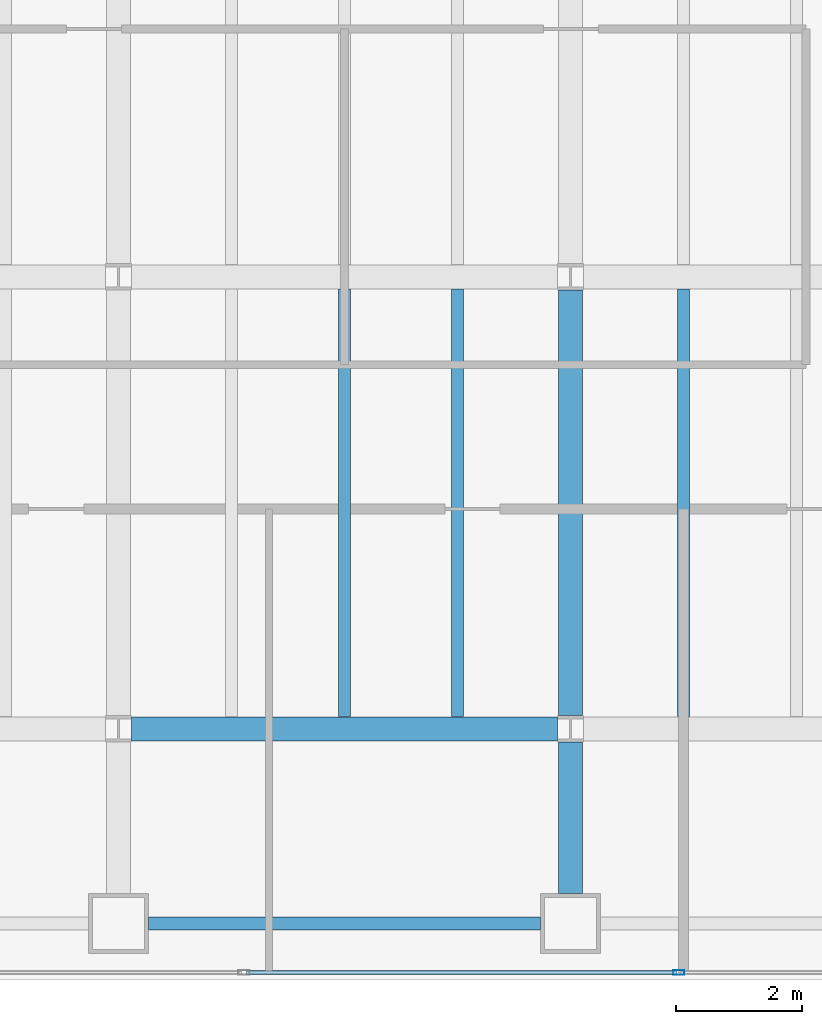
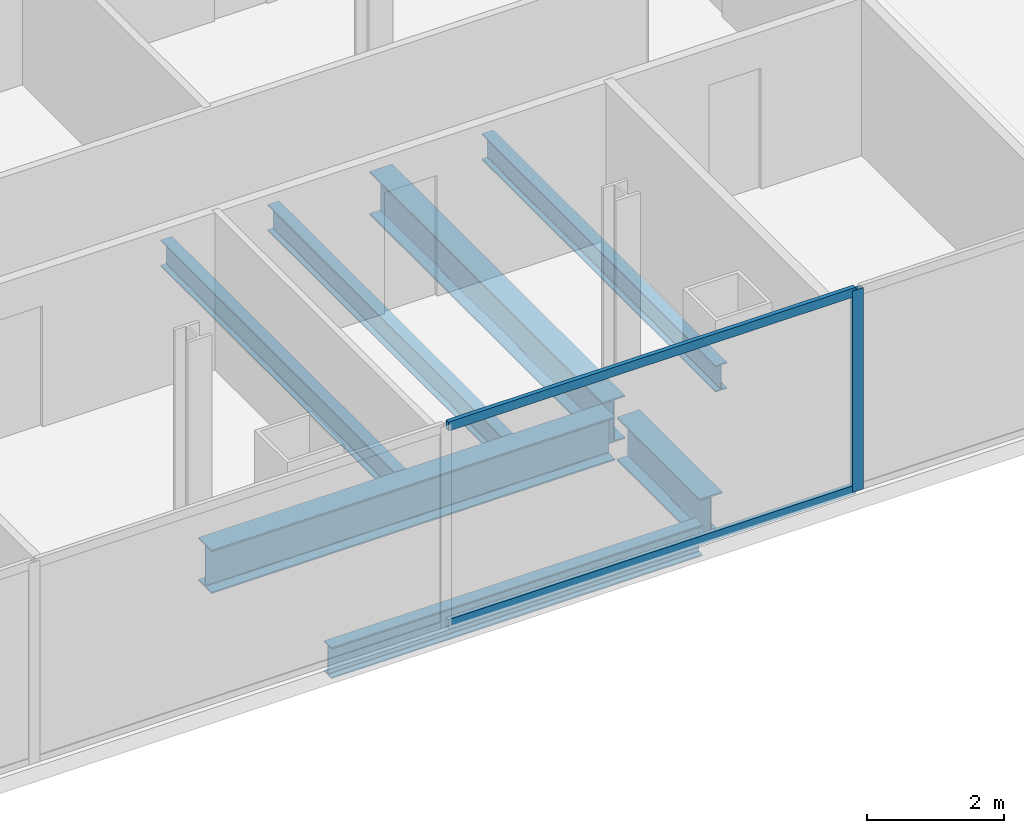
# One storey, part 5 of 24: 7 beams, 3 members, 1 element without a shape of its own.
"""IFC4 building model written with IfcOpenShell, lengths in metres."""

from ifc_helpers import new_model, si_unit, direction, frame, origin, origin_2d, place, context, subcontext, project, spatial, hollow_rectangle, i_section, extrude, material, material_profile, profile_set, type_object, element, aggregate, save


model = new_model("IFC4")

# Units and contexts
model_context = context("Model", 3, precision=1e-05, world=origin(), true_north=direction((0.0, 1.0)))
body_context = subcontext(model_context, "Body", "Model", "MODEL_VIEW")
ifc_project = project(units=[si_unit("LENGTHUNIT", "METRE"), si_unit("AREAUNIT", "SQUARE_METRE"), si_unit("VOLUMEUNIT", "CUBIC_METRE"), si_unit("PLANEANGLEUNIT", "RADIAN"), si_unit("MASSUNIT", "GRAM", prefix="KILO")], contexts=[model_context])

# Site, building, storey
site_placement = place(None, origin())
site = spatial("IfcSite", under=ifc_project, at=site_placement, CompositionType="ELEMENT")
building_placement = place(site_placement, origin())
building = spatial("IfcBuilding", under=site, at=building_placement, Name="Cobrela Telecom Tower", CompositionType="ELEMENT")
storey_placement = place(building_placement, frame((0.0, 0.0, 106.050048828125)))
storey = spatial("IfcBuildingStorey", under=building, at=storey_placement, Name="L26", CompositionType="ELEMENT", Elevation=106.050048828125)

# Beams
ifc_material_1 = material(Name="Steel ASTM A992 Grade 50", Category="steel")
ifc_material_profile_1 = material_profile(ifc_material_1, i_section(OverallWidth=0.381103515625, OverallDepth=0.77197265625, WebThickness=0.0166015625, FlangeThickness=0.027099609375, FilletRadius=0.01904296875, at=origin_2d()), Name="W30X173")
ifc_profile_set_1 = profile_set([ifc_material_profile_1], Name="Steel ASTM A992 Grade 50")
beam_type_1 = type_object("IfcBeamType", Name="BM-GIRD-04", PredefinedType="USERDEFINED", material=ifc_profile_set_1)
beam_1_placement = place(storey_placement, frame((21.8095703125, 7.199951171875, -0.656005859375), z_axis=(1.0, 0.0, 0.0), x_axis=(0.0, 1.0, 0.0)))
element("IfcBeam", 1, at=beam_1_placement, inside=storey, type_object=beam_type_1, Name="L26 Primary Girder X09", ObjectType="GIRDER", PredefinedType="USERDEFINED", context=body_context, shape_type="SweptSolid", body=[
    extrude(i_section(OverallWidth=0.381103515625, OverallDepth=0.77197265625, WebThickness=0.0166015625, FlangeThickness=0.027099609375, FilletRadius=0.01904296875, at=origin_2d()), origin(), (0.0, 0.0, 1.0), 6.781005859375),
])
beam_2_placement = place(storey_placement, frame((28.800048828125, 4.580078125, -0.656005859375), z_axis=(0.0, 1.0, 0.0), x_axis=(-1.0, 0.0, 0.0)))
element("IfcBeam", 2, at=beam_2_placement, inside=storey, type_object=beam_type_1, Name="L26 Primary Girder Y46", ObjectType="GIRDER", PredefinedType="USERDEFINED", context=body_context, shape_type="SweptSolid", body=[
    extrude(i_section(OverallWidth=0.381103515625, OverallDepth=0.77197265625, WebThickness=0.0166015625, FlangeThickness=0.027099609375, FilletRadius=0.01904296875, at=origin_2d()), origin(), (0.0, 0.0, 1.0), 2.410400390625),
])
beam_3_placement = place(storey_placement, frame((28.800048828125, 7.409423828125, -0.656005859375), z_axis=(0.0, 1.0, 0.0), x_axis=(-1.0, 0.0, 0.0)))
element("IfcBeam", 3, at=beam_3_placement, inside=storey, type_object=beam_type_1, Name="L26 Primary Girder Y47", ObjectType="GIRDER", PredefinedType="USERDEFINED", context=body_context, shape_type="SweptSolid", body=[
    extrude(i_section(OverallWidth=0.381103515625, OverallDepth=0.77197265625, WebThickness=0.0166015625, FlangeThickness=0.027099609375, FilletRadius=0.01904296875, at=origin_2d()), origin(), (0.0, 0.0, 1.0), 6.781005859375),
])
ifc_material_profile_2 = material_profile(ifc_material_1, i_section(OverallWidth=0.193115234375, OverallDepth=0.467041015625, WebThickness=0.011474609375, FlangeThickness=0.01904296875, FilletRadius=0.012939453125, at=origin_2d()), Name="W18X65")
ifc_profile_set_2 = profile_set([ifc_material_profile_2], Name="Steel ASTM A992 Grade 50")
beam_type_2 = type_object("IfcBeamType", Name="BM-JOIST-03", PredefinedType="JOIST", material=ifc_profile_set_2)
for number, where, z_axis, x_axis, name in (
    (4, (25.199951171875, 7.3955078125, -0.503662109375), (0.0, 1.0, 0.0), (-1.0, 0.0, 0.0), "L26 Secondary Composite Floor Beam J23"),
    (5, (27.0, 7.3955078125, -0.503662109375), (0.0, 1.0, 0.0), (-1.0, 0.0, 0.0), "L26 Secondary Composite Floor Beam J25"),
    (6, (30.60009765625, 7.3955078125, -0.503662109375), (0.0, 1.0, 0.0), (-1.0, 0.0, 0.0), "L26 Secondary Composite Floor Beam J27"),
):
    element("IfcBeam", number, at=place(storey_placement, frame(where, z_axis=z_axis, x_axis=x_axis)), inside=storey, type_object=beam_type_2, Name=name, PredefinedType="JOIST", context=body_context, shape_type="SweptSolid", body=[
        extrude(i_section(OverallWidth=0.193115234375, OverallDepth=0.467041015625, WebThickness=0.011474609375, FlangeThickness=0.01904296875, FilletRadius=0.012939453125, at=origin_2d()), origin(), (0.0, 0.0, 1.0), 6.80908203125),
    ])
ifc_material_profile_3 = material_profile(ifc_material_1, i_section(OverallWidth=0.212890625, OverallDepth=0.549072265625, WebThickness=0.0146484375, FlangeThickness=0.023681640625, FilletRadius=0.013916015625, at=origin_2d()), Name="W21X93")
ifc_profile_set_3 = profile_set([ifc_material_profile_3], Name="Steel ASTM A992 Grade 50")
beam_type_3 = type_object("IfcBeamType", Name="BM-SPAND-03", PredefinedType="SPANDREL", material=ifc_profile_set_3)
beam_4_placement = place(storey_placement, frame((22.080078125, 4.10009765625, -0.54443359375), z_axis=(1.0, 0.0, 0.0), x_axis=(0.0, 1.0, 0.0)))
element("IfcBeam", 7, at=beam_4_placement, inside=storey, type_object=beam_type_3, Name="L26 Perimeter Spandrel X03", PredefinedType="SPANDREL", context=body_context, shape_type="SweptSolid", body=[
    extrude(i_section(OverallWidth=0.212890625, OverallDepth=0.549072265625, WebThickness=0.0146484375, FlangeThickness=0.023681640625, FilletRadius=0.013916015625, at=origin_2d()), origin(), (0.0, 0.0, 1.0), 6.239990234375),
])

# Curtain wall, members
ifc_material_2 = material(Name="Anodized Bronze Aluminium 6063-T6", Category="aluminium")
curtain_wall_type = type_object("IfcCurtainWallType", Name="CW-SYS-TEL", PredefinedType="USERDEFINED", material=ifc_material_2)
curtain_wall_placement = place(storey_placement, origin())
curtain_wall = element("IfcCurtainWall", 8, at=curtain_wall_placement, inside=storey, type_object=curtain_wall_type, Name="L26 Unitised Bronze Curtain Wall 17", ObjectType="UNITISED CURTAIN WALL", PredefinedType="USERDEFINED")
ifc_material_profile_4 = material_profile(ifc_material_2, hollow_rectangle(XDim=0.074951171875, YDim=0.179931640625, WallThickness=0.00390625, at=origin_2d()), Name="ALU 75x180x4")
ifc_profile_set_4 = profile_set([ifc_material_profile_4], Name="Anodized Bronze Aluminium 6063-T6")
member_type_1 = type_object("IfcMemberType", Name="CW-SYS-TEL-MUL", PredefinedType="MULLION", material=ifc_profile_set_4)
member_1_placement = place(storey_placement, frame((30.5234375, 3.320068359375, 0.0), z_axis=(0.0, 0.0, 1.0), x_axis=(0.0, -1.0, 0.0)))
member_1 = element("IfcMember", 9, at=member_1_placement, type_object=member_type_1, Name="CW-TEL mullion 3", PredefinedType="MULLION", context=body_context, shape_type="SweptSolid", body=[
    extrude(hollow_rectangle(XDim=0.074951171875, YDim=0.179931640625, WallThickness=0.00390625, at=origin_2d()), origin(), (0.0, 0.0, 1.0), 3.579833984375),
])
ifc_material_profile_5 = material_profile(ifc_material_2, hollow_rectangle(XDim=0.070068359375, YDim=0.159912109375, WallThickness=0.00390625, at=origin_2d()), Name="ALU 70x160x4")
ifc_profile_set_5 = profile_set([ifc_material_profile_5], Name="Anodized Bronze Aluminium 6063-T6")
member_type_2 = type_object("IfcMemberType", Name="CW-SYS-TEL-TRN", PredefinedType="USERDEFINED", material=ifc_profile_set_5)
member_2_placement = place(storey_placement, frame((30.48583984375, 3.320068359375, 0.034912109375), z_axis=(-1.0, 0.0, 0.0), x_axis=(0.0, -1.0, 0.0)))
member_2 = element("IfcMember", 10, at=member_2_placement, type_object=member_type_2, Name="CW-TEL transom 3.1", ObjectType="TRANSOM", PredefinedType="USERDEFINED", context=body_context, shape_type="SweptSolid", body=[
    extrude(hollow_rectangle(XDim=0.070068359375, YDim=0.159912109375, WallThickness=0.00390625, at=origin_2d()), origin(), (0.0, 0.0, 1.0), 6.848388671875),
])
member_3_placement = place(storey_placement, frame((30.48583984375, 3.320068359375, 3.544921875), z_axis=(-1.0, 0.0, 0.0), x_axis=(0.0, -1.0, 0.0)))
member_3 = element("IfcMember", 11, at=member_3_placement, type_object=member_type_2, Name="CW-TEL transom 3.2", ObjectType="TRANSOM", PredefinedType="USERDEFINED", context=body_context, shape_type="SweptSolid", body=[
    extrude(hollow_rectangle(XDim=0.070068359375, YDim=0.159912109375, WallThickness=0.00390625, at=origin_2d()), origin(), (0.0, 0.0, 1.0), 6.848388671875),
])
aggregate(curtain_wall, [member_1, member_2, member_3])

save(model, "model.ifc")
